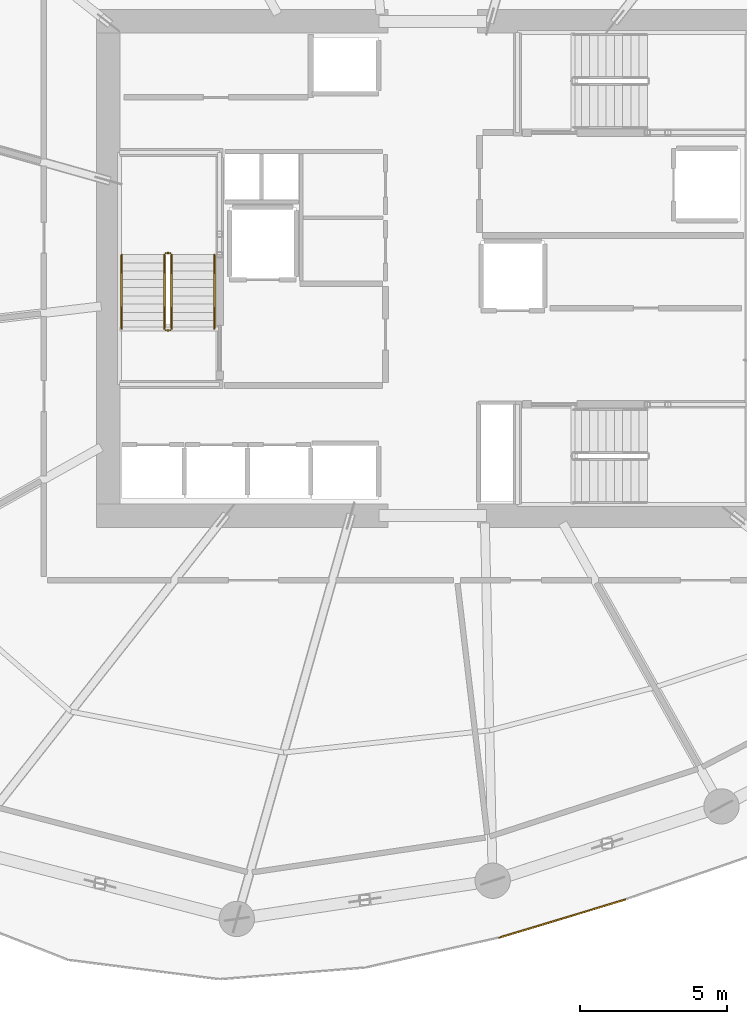
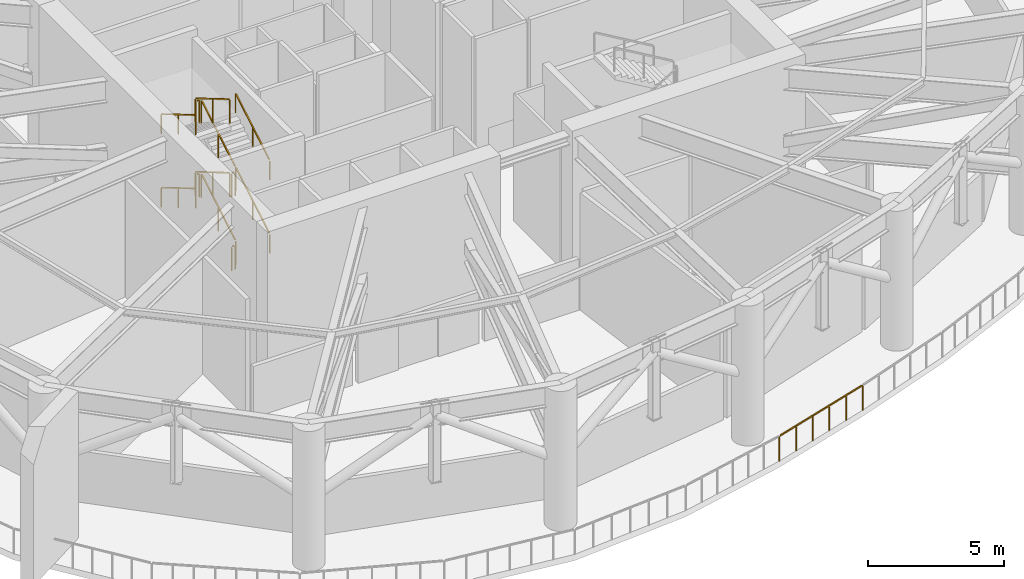
# One storey, part 16 of 19: 13 railings.
"""IFC4 building model written with IfcOpenShell, lengths in metres."""

from ifc_helpers import new_model, si_unit, direction, frame, origin, origin_2d, place, context, subcontext, project, spatial, rectangle, extrude, material, type_object, element, save


model = new_model("IFC4")

# Units and contexts
model_context = context("Model", 3, precision=1e-05, world=origin(), true_north=direction((0.0, 1.0)))
body_context = subcontext(model_context, "Body", "Model", "MODEL_VIEW")
ifc_project = project(units=[si_unit("LENGTHUNIT", "METRE"), si_unit("AREAUNIT", "SQUARE_METRE"), si_unit("VOLUMEUNIT", "CUBIC_METRE"), si_unit("PLANEANGLEUNIT", "RADIAN"), si_unit("MASSUNIT", "GRAM", prefix="KILO")], contexts=[model_context])

# Site, building, storey
site_placement = place(None, origin())
site = spatial("IfcSite", under=ifc_project, at=site_placement, CompositionType="ELEMENT")
building_placement = place(site_placement, origin())
building = spatial("IfcBuilding", under=site, at=building_placement, Name="Kazma Halo Residences", CompositionType="ELEMENT")
storey_placement = place(building_placement, frame((0.0, 0.0, 116.39990234375)))
storey = spatial("IfcBuildingStorey", under=building, at=storey_placement, Name="L29", CompositionType="ELEMENT", Elevation=116.39990234375)

# Railings
ifc_material_1 = material(Name="Brushed Stainless Steel and Laminated Glass", Category="steel")
railing_type_1 = type_object("IfcRailingType", Name="RLG-EXT-GUARD-1150", PredefinedType="GUARDRAIL", material=ifc_material_1)
railing_1_placement = place(storey_placement, frame((50.692626953125, 19.249755859375, 0.0)))
element("IfcRailing", 1, at=railing_1_placement, inside=storey, type_object=railing_type_1, Name="L29 open wind-floor perimeter guard 24", PredefinedType="GUARDRAIL", context=body_context, shape_type="SweptSolid", body=[
    extrude(rectangle(XDim=0.050048828125, YDim=0.050048828125, at=origin_2d()), frame((0.040771484375, 0.01220703125, 1.125), z_axis=(0.957259261611, 0.289231232856, 0.0), x_axis=(-0.289231232856, 0.957259261611, 0.0)), (0.0, 0.0, 1.0), 4.38525390625),
    extrude(rectangle(XDim=0.0400390625, YDim=0.0400390625, at=origin_2d()), origin(), (0.0, 0.0, 1.0), 1.087890625),
    extrude(rectangle(XDim=0.0400390625, YDim=0.0400390625, at=origin_2d()), frame((0.85595703125, 0.258544921875, 0.0)), (0.0, 0.0, 1.0), 1.087890625),
    extrude(rectangle(XDim=0.0400390625, YDim=0.0400390625, at=origin_2d()), frame((1.711669921875, 0.51708984375, 0.0)), (0.0, 0.0, 1.0), 1.087890625),
    extrude(rectangle(XDim=0.0400390625, YDim=0.0400390625, at=origin_2d()), frame((2.567626953125, 0.77587890625, 0.0)), (0.0, 0.0, 1.0), 1.087890625),
    extrude(rectangle(XDim=0.0400390625, YDim=0.0400390625, at=origin_2d()), frame((3.42333984375, 1.034423828125, 0.0)), (0.0, 0.0, 1.0), 1.087890625),
    extrude(rectangle(XDim=0.0400390625, YDim=0.0400390625, at=origin_2d()), frame((4.279296875, 1.29296875, 0.0)), (0.0, 0.0, 1.0), 1.087890625),
])
ifc_material_2 = material(Name="Painted Steel S355", Category="steel")
railing_type_2 = type_object("IfcRailingType", Name="RLG-STAIR-GRD-1100", PredefinedType="GUARDRAIL", material=ifc_material_2)
railing_2_placement = place(storey_placement, frame((39.550048828125, 39.949951171875, 0.1650390625)))
element("IfcRailing", 2, at=railing_2_placement, inside=storey, type_object=railing_type_2, Name="L29 ST-01 stair guard 1", PredefinedType="GUARDRAIL", context=body_context, shape_type="SweptSolid", body=[
    extrude(rectangle(XDim=0.050048828125, YDim=0.050048828125, at=origin_2d()), frame((0.0, 0.03662109375, 1.0966796875), z_axis=(0.0, 0.86152411907, 0.507716645641), x_axis=(-1.0, 0.0, 0.0)), (0.0, 0.0, 1.0), 2.840087890625),
    extrude(rectangle(XDim=0.0400390625, YDim=0.0400390625, at=origin_2d()), origin(), (0.0, 0.0, 1.0), 1.0380859375),
    extrude(rectangle(XDim=0.0400390625, YDim=0.0400390625, at=origin_2d()), frame((0.0, 1.260009765625, 0.74267578125)), (0.0, 0.0, 1.0), 1.0380859375),
    extrude(rectangle(XDim=0.0400390625, YDim=0.0400390625, at=origin_2d()), frame((0.0, 2.52001953125, 1.485107421875)), (0.0, 0.0, 1.0), 1.0380859375),
])
railing_3_placement = place(storey_placement, frame((39.5, 42.52001953125, 1.650146484375)))
element("IfcRailing", 3, at=railing_3_placement, inside=storey, type_object=railing_type_2, Name="L29 ST-01 stair guard 2", PredefinedType="GUARDRAIL", context=body_context, shape_type="SweptSolid", body=[
    extrude(rectangle(XDim=0.050048828125, YDim=0.050048828125, at=origin_2d()), frame((-0.04248046875, 0.0, 1.0751953125), z_axis=(-1.0, 0.0, 0.0), x_axis=(0.0, -1.0, 0.0)), (0.0, 0.0, 1.0), 0.06494140625),
    extrude(rectangle(XDim=0.0400390625, YDim=0.0400390625, at=origin_2d()), origin(), (0.0, 0.0, 1.0), 1.0380859375),
    extrude(rectangle(XDim=0.0400390625, YDim=0.0400390625, at=origin_2d()), frame((-0.14990234375, 0.0, 0.0)), (0.0, 0.0, 1.0), 1.0380859375),
])
railing_4_placement = place(storey_placement, frame((39.300048828125, 42.469970703125, 1.815185546875)))
element("IfcRailing", 4, at=railing_4_placement, inside=storey, type_object=railing_type_2, Name="L29 ST-01 stair guard 3", PredefinedType="GUARDRAIL", context=body_context, shape_type="SweptSolid", body=[
    extrude(rectangle(XDim=0.050048828125, YDim=0.050048828125, at=origin_2d()), frame((0.0, -0.03662109375, 1.0966796875), z_axis=(0.0, -0.861560626758, 0.507654692109), x_axis=(1.0, 0.0, 0.0)), (0.0, 0.0, 1.0), 2.83984375),
    extrude(rectangle(XDim=0.0400390625, YDim=0.0400390625, at=origin_2d()), origin(), (0.0, 0.0, 1.0), 1.0380859375),
    extrude(rectangle(XDim=0.0400390625, YDim=0.0400390625, at=origin_2d()), frame((0.0, -1.260009765625, 0.742431640625)), (0.0, 0.0, 1.0), 1.0380859375),
    extrude(rectangle(XDim=0.0400390625, YDim=0.0400390625, at=origin_2d()), frame((0.0, -2.52001953125, 1.48486328125)), (0.0, 0.0, 1.0), 1.0380859375),
])
railing_5_placement = place(storey_placement, frame((39.5, 39.89990234375, 3.300048828125)))
element("IfcRailing", 5, at=railing_5_placement, inside=storey, type_object=railing_type_2, Name="L29 ST-01 stair guard 4", PredefinedType="GUARDRAIL", context=body_context, shape_type="SweptSolid", body=[
    extrude(rectangle(XDim=0.050048828125, YDim=0.050048828125, at=origin_2d()), frame((-0.04248046875, 0.0, 1.0751953125), z_axis=(-1.0, 0.0, 0.0), x_axis=(0.0, -1.0, 0.0)), (0.0, 0.0, 1.0), 0.06494140625),
    extrude(rectangle(XDim=0.0400390625, YDim=0.0400390625, at=origin_2d()), origin(), (0.0, 0.0, 1.0), 1.0380859375),
    extrude(rectangle(XDim=0.0400390625, YDim=0.0400390625, at=origin_2d()), frame((-0.14990234375, 0.0, 0.0)), (0.0, 0.0, 1.0), 1.0380859375),
])
railing_6_placement = place(storey_placement, frame((39.550048828125, 39.949951171875, 3.465087890625)))
element("IfcRailing", 6, at=railing_6_placement, inside=storey, type_object=railing_type_2, Name="L29 ST-01 stair guard 5", PredefinedType="GUARDRAIL", context=body_context, shape_type="SweptSolid", body=[
    extrude(rectangle(XDim=0.050048828125, YDim=0.050048828125, at=origin_2d()), frame((0.0, 0.03662109375, 1.0966796875), z_axis=(0.0, 0.86152411907, 0.507716645641), x_axis=(-1.0, 0.0, 0.0)), (0.0, 0.0, 1.0), 2.840087890625),
    extrude(rectangle(XDim=0.0400390625, YDim=0.0400390625, at=origin_2d()), origin(), (0.0, 0.0, 1.0), 1.0380859375),
    extrude(rectangle(XDim=0.0400390625, YDim=0.0400390625, at=origin_2d()), frame((0.0, 1.260009765625, 0.74267578125)), (0.0, 0.0, 1.0), 1.0380859375),
    extrude(rectangle(XDim=0.0400390625, YDim=0.0400390625, at=origin_2d()), frame((0.0, 2.52001953125, 1.485107421875)), (0.0, 0.0, 1.0), 1.0380859375),
])
railing_7_placement = place(storey_placement, frame((39.5, 42.52001953125, 4.9501953125)))
element("IfcRailing", 7, at=railing_7_placement, inside=storey, type_object=railing_type_2, Name="L29 ST-01 stair guard 6", PredefinedType="GUARDRAIL", context=body_context, shape_type="SweptSolid", body=[
    extrude(rectangle(XDim=0.050048828125, YDim=0.050048828125, at=origin_2d()), frame((-0.04248046875, 0.0, 1.0751953125), z_axis=(-1.0, 0.0, 0.0), x_axis=(0.0, -1.0, 0.0)), (0.0, 0.0, 1.0), 0.06494140625),
    extrude(rectangle(XDim=0.0400390625, YDim=0.0400390625, at=origin_2d()), origin(), (0.0, 0.0, 1.0), 1.0380859375),
    extrude(rectangle(XDim=0.0400390625, YDim=0.0400390625, at=origin_2d()), frame((-0.14990234375, 0.0, 0.0)), (0.0, 0.0, 1.0), 1.0380859375),
])
railing_8_placement = place(storey_placement, frame((39.300048828125, 42.469970703125, 5.114990234375)))
element("IfcRailing", 8, at=railing_8_placement, inside=storey, type_object=railing_type_2, Name="L29 ST-01 stair guard 7", PredefinedType="GUARDRAIL", context=body_context, shape_type="SweptSolid", body=[
    extrude(rectangle(XDim=0.050048828125, YDim=0.050048828125, at=origin_2d()), frame((0.0, -0.03662109375, 1.0966796875), z_axis=(0.0, -0.86152411907, 0.507716645641), x_axis=(1.0, 0.0, 0.0)), (0.0, 0.0, 1.0), 2.840087890625),
    extrude(rectangle(XDim=0.0400390625, YDim=0.0400390625, at=origin_2d()), origin(), (0.0, 0.0, 1.0), 1.0380859375),
    extrude(rectangle(XDim=0.0400390625, YDim=0.0400390625, at=origin_2d()), frame((0.0, -1.260009765625, 0.74267578125)), (0.0, 0.0, 1.0), 1.0380859375),
    extrude(rectangle(XDim=0.0400390625, YDim=0.0400390625, at=origin_2d()), frame((0.0, -2.52001953125, 1.485107421875)), (0.0, 0.0, 1.0), 1.0380859375),
])
railing_9_placement = place(storey_placement, frame((39.5, 39.89990234375, 0.0)))
element("IfcRailing", 9, at=railing_9_placement, inside=storey, type_object=railing_type_2, Name="L29 ST-01 stair guard 8", PredefinedType="GUARDRAIL", context=body_context, shape_type="SweptSolid", body=[
    extrude(rectangle(XDim=0.050048828125, YDim=0.050048828125, at=origin_2d()), frame((-0.04248046875, 0.0, 1.0751953125), z_axis=(-1.0, 0.0, 0.0), x_axis=(0.0, -1.0, 0.0)), (0.0, 0.0, 1.0), 0.06494140625),
    extrude(rectangle(XDim=0.0400390625, YDim=0.0400390625, at=origin_2d()), origin(), (0.0, 0.0, 1.0), 1.0380859375),
    extrude(rectangle(XDim=0.0400390625, YDim=0.0400390625, at=origin_2d()), frame((-0.14990234375, 0.0, 0.0)), (0.0, 0.0, 1.0), 1.0380859375),
])
ifc_material_3 = material(Name="Brushed Stainless Steel", Category="steel")
railing_type_3 = type_object("IfcRailingType", Name="RLG-STAIR-HND-900", PredefinedType="HANDRAIL", material=ifc_material_3)
railing_10_placement = place(storey_placement, frame((41.0, 39.949951171875, 0.1650390625)))
element("IfcRailing", 10, at=railing_10_placement, inside=storey, type_object=railing_type_3, Name="L29 ST-01 stair handrail 1", PredefinedType="HANDRAIL", context=body_context, shape_type="SweptSolid", body=[
    extrude(rectangle(XDim=0.050048828125, YDim=0.050048828125, at=origin_2d()), frame((0.0, 0.03662109375, 0.896484375), z_axis=(0.0, 0.86152411907, 0.507716645641), x_axis=(-1.0, 0.0, 0.0)), (0.0, 0.0, 1.0), 2.840087890625),
    extrude(rectangle(XDim=0.0400390625, YDim=0.0400390625, at=origin_2d()), origin(), (0.0, 0.0, 1.0), 0.837890625),
    extrude(rectangle(XDim=0.0400390625, YDim=0.0400390625, at=origin_2d()), frame((0.0, 1.260009765625, 0.74267578125)), (0.0, 0.0, 1.0), 0.837890625),
    extrude(rectangle(XDim=0.0400390625, YDim=0.0400390625, at=origin_2d()), frame((0.0, 2.52001953125, 1.485107421875)), (0.0, 0.0, 1.0), 0.837890625),
])
railing_11_placement = place(storey_placement, frame((37.85009765625, 42.469970703125, 1.815185546875)))
element("IfcRailing", 11, at=railing_11_placement, inside=storey, type_object=railing_type_3, Name="L29 ST-01 stair handrail 2", PredefinedType="HANDRAIL", context=body_context, shape_type="SweptSolid", body=[
    extrude(rectangle(XDim=0.050048828125, YDim=0.050048828125, at=origin_2d()), frame((0.0, -0.03662109375, 0.896484375), z_axis=(0.0, -0.861560626758, 0.507654692109), x_axis=(1.0, 0.0, 0.0)), (0.0, 0.0, 1.0), 2.83984375),
    extrude(rectangle(XDim=0.0400390625, YDim=0.0400390625, at=origin_2d()), origin(), (0.0, 0.0, 1.0), 0.837890625),
    extrude(rectangle(XDim=0.0400390625, YDim=0.0400390625, at=origin_2d()), frame((0.0, -1.260009765625, 0.742431640625)), (0.0, 0.0, 1.0), 0.837890625),
    extrude(rectangle(XDim=0.0400390625, YDim=0.0400390625, at=origin_2d()), frame((0.0, -2.52001953125, 1.48486328125)), (0.0, 0.0, 1.0), 0.837890625),
])
railing_12_placement = place(storey_placement, frame((41.0, 39.949951171875, 3.465087890625)))
element("IfcRailing", 12, at=railing_12_placement, inside=storey, type_object=railing_type_3, Name="L29 ST-01 stair handrail 3", PredefinedType="HANDRAIL", context=body_context, shape_type="SweptSolid", body=[
    extrude(rectangle(XDim=0.050048828125, YDim=0.050048828125, at=origin_2d()), frame((0.0, 0.03662109375, 0.896484375), z_axis=(0.0, 0.86152411907, 0.507716645641), x_axis=(-1.0, 0.0, 0.0)), (0.0, 0.0, 1.0), 2.840087890625),
    extrude(rectangle(XDim=0.0400390625, YDim=0.0400390625, at=origin_2d()), origin(), (0.0, 0.0, 1.0), 0.837890625),
    extrude(rectangle(XDim=0.0400390625, YDim=0.0400390625, at=origin_2d()), frame((0.0, 1.260009765625, 0.74267578125)), (0.0, 0.0, 1.0), 0.837890625),
    extrude(rectangle(XDim=0.0400390625, YDim=0.0400390625, at=origin_2d()), frame((0.0, 2.52001953125, 1.485107421875)), (0.0, 0.0, 1.0), 0.837890625),
])
railing_13_placement = place(storey_placement, frame((37.85009765625, 42.469970703125, 5.114990234375)))
element("IfcRailing", 13, at=railing_13_placement, inside=storey, type_object=railing_type_3, Name="L29 ST-01 stair handrail 4", PredefinedType="HANDRAIL", context=body_context, shape_type="SweptSolid", body=[
    extrude(rectangle(XDim=0.050048828125, YDim=0.050048828125, at=origin_2d()), frame((0.0, -0.03662109375, 0.896484375), z_axis=(0.0, -0.86152411907, 0.507716645641), x_axis=(1.0, 0.0, 0.0)), (0.0, 0.0, 1.0), 2.840087890625),
    extrude(rectangle(XDim=0.0400390625, YDim=0.0400390625, at=origin_2d()), origin(), (0.0, 0.0, 1.0), 0.837890625),
    extrude(rectangle(XDim=0.0400390625, YDim=0.0400390625, at=origin_2d()), frame((0.0, -1.260009765625, 0.74267578125)), (0.0, 0.0, 1.0), 0.837890625),
    extrude(rectangle(XDim=0.0400390625, YDim=0.0400390625, at=origin_2d()), frame((0.0, -2.52001953125, 1.485107421875)), (0.0, 0.0, 1.0), 0.837890625),
])

save(model, "model.ifc")
